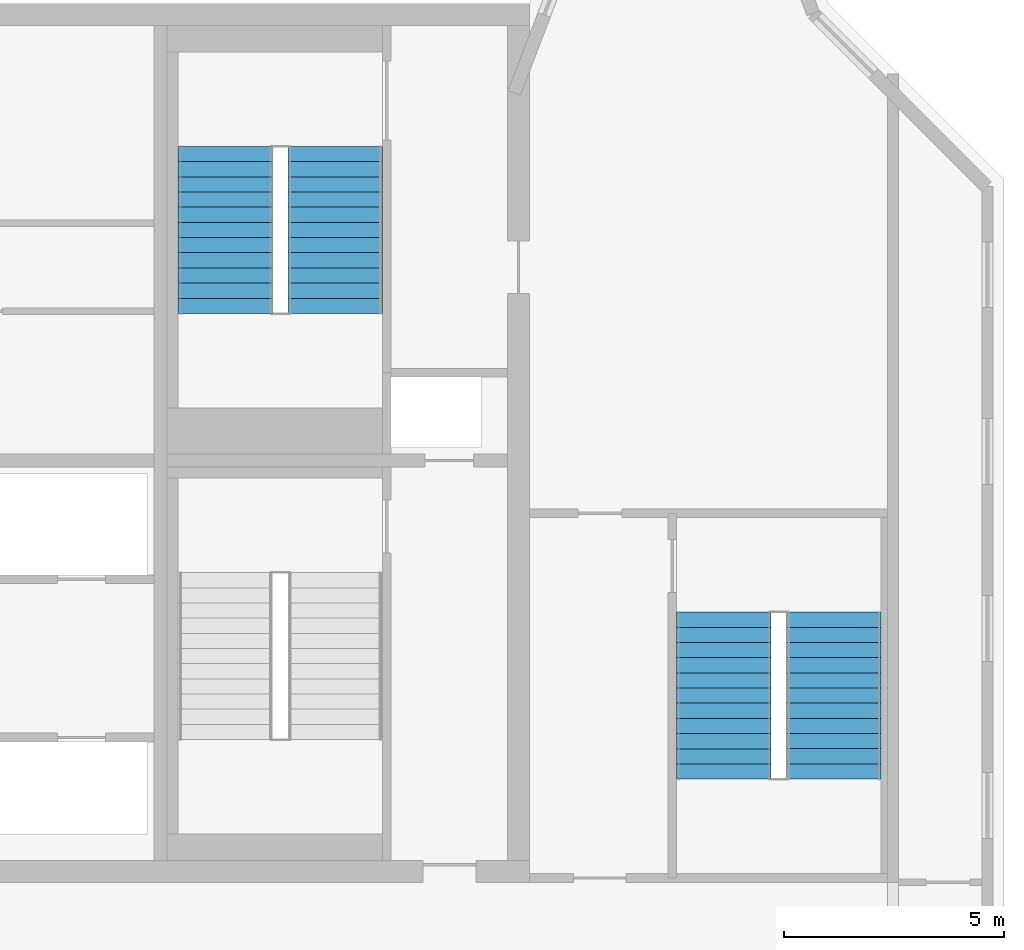
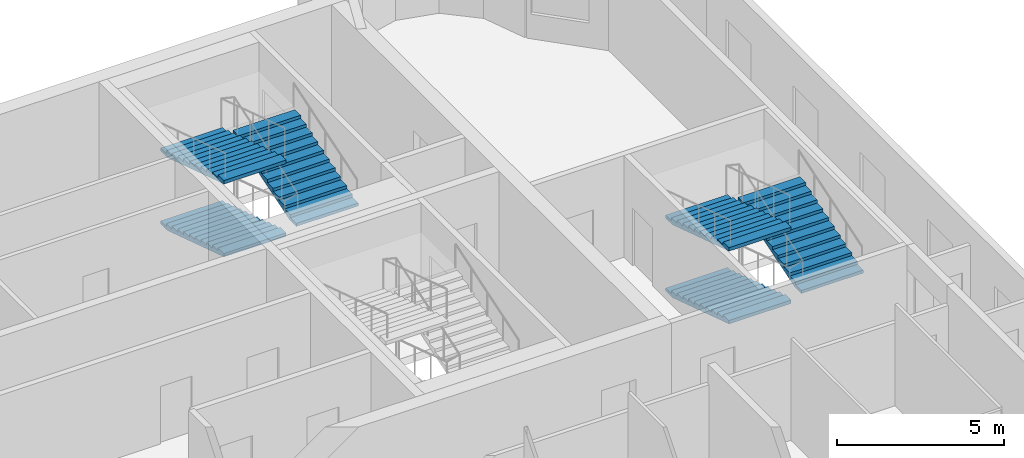
# One storey, part 9 of 12: 6 stair flights, 2 elements without a shape of their own.
"""IFC4 building model written with IfcOpenShell, lengths in metres."""

import ifcopenshell
import ifcopenshell.guid

model = None  # the IFC model being written
_history = None  # IfcOwnerHistory: only IFC2X3 demands one
_inside = {}  # id of a spatial element -> (the spatial element, [elements in it])
_under = {}  # id of a project, library or spatial element -> (it, [spatial elements below it])
_declared = {}  # id of a project -> (the project, [libraries it declares])
_typed = {}  # id of a type object -> (the type object, [elements of that type])
_made_of = {}  # id of a material, layer set ... -> (it, [elements and type objects made of it])


def new_model(schema):
    """Start an empty IFC model of exactly this schema.

    Asked for "IFC4X3", IfcOpenShell would pick the latest addendum, in which some entities
    have other attributes; the version numbers below select the first issue.
    IFC2X3 requires an IfcOwnerHistory on every rooted entity: one is made here for all.
    """
    global model, _history
    if schema == "IFC4X3":
        model = ifcopenshell.file(schema_version=(4, 3, 0, 0))
    else:
        model = ifcopenshell.file(schema=schema)
    _inside.clear()
    _under.clear()
    _declared.clear()
    _typed.clear()
    _made_of.clear()
    _history = None
    if model.schema == "IFC2X3":
        org = make("IfcOrganization", Name="unknown")
        user = make(
            "IfcPersonAndOrganization",
            ThePerson=make("IfcPerson", FamilyName="unknown"),
            TheOrganization=org,
        )
        app = make(
            "IfcApplication",
            ApplicationDeveloper=org,
            Version="unknown",
            ApplicationFullName="unknown",
            ApplicationIdentifier="unknown",
        )
        _history = make(
            "IfcOwnerHistory",
            OwningUser=user,
            OwningApplication=app,
            ChangeAction="ADDED",
            CreationDate=0,
        )
    return model


def make(cls, **values):
    """One entity of the class cls with the attributes given. An attribute that is None is left unset."""
    return model.create_entity(
        cls, **{name: value for name, value in values.items() if value is not None}
    )


def rooted(cls, **values):
    """An entity with a GlobalId (a new one), such as an element, a storey or a relation."""
    return make(cls, GlobalId=ifcopenshell.guid.new(), OwnerHistory=_history, **values)


def si_unit(unit_type, name, prefix=None):
    """IfcSIUnit, for example si_unit("LENGTHUNIT", "METRE", prefix="MILLI")."""
    return make("IfcSIUnit", UnitType=unit_type, Prefix=prefix, Name=name)


def assignment(units):
    """IfcUnitAssignment: the units of a project."""
    return None if units is None else make("IfcUnitAssignment", Units=units)


def point(xyz):
    """IfcCartesianPoint."""
    return None if xyz is None else make("IfcCartesianPoint", Coordinates=xyz)


def direction(xyz):
    """IfcDirection."""
    return None if xyz is None else make("IfcDirection", DirectionRatios=xyz)


def frame(location, z_axis=None, x_axis=None):
    """IfcAxis2Placement3D, a coordinate frame: its origin and axes. An axis left out is left unset."""
    return make(
        "IfcAxis2Placement3D",
        Location=point(location),
        Axis=direction(z_axis),
        RefDirection=direction(x_axis),
    )


def origin():
    """The frame at (0, 0, 0) with its axes left unset."""
    return frame((0.0, 0.0, 0.0))


def place(relative_to, where):
    """IfcLocalPlacement: puts the frame where relative to a parent placement (None: the world)."""
    return make(
        "IfcLocalPlacement", PlacementRelTo=relative_to, RelativePlacement=where
    )


def context(
    kind, dimensions, precision=None, world=None, true_north=None, identifier=None
):
    """IfcGeometricRepresentationContext, for example the 3D "Model" context."""
    return make(
        "IfcGeometricRepresentationContext",
        ContextIdentifier=identifier,
        ContextType=kind,
        CoordinateSpaceDimension=dimensions,
        Precision=precision,
        WorldCoordinateSystem=world,
        TrueNorth=true_north,
    )


def subcontext(parent, identifier, kind, view, scale=None):
    """IfcGeometricRepresentationSubContext, for example "Body" below "Model"."""
    return make(
        "IfcGeometricRepresentationSubContext",
        ContextIdentifier=identifier,
        ContextType=kind,
        ParentContext=parent,
        TargetScale=scale,
        TargetView=view,
    )


def project(units=None, contexts=None):
    """IfcProject with its units and contexts."""
    return rooted(
        "IfcProject",
        Name="project",
        RepresentationContexts=contexts,
        UnitsInContext=assignment(units),
    )


def spatial(cls, under=None, at=None, **own):
    """A site, building, storey or space (cls), placed at a placement, below another one or the project."""
    s = rooted(cls, ObjectPlacement=at, **own)
    if under is not None:
        _under.setdefault(under.id(), (under, []))[1].append(s)
    return s


def polyline(points):
    """IfcPolyline through the points."""
    return make("IfcPolyline", Points=[point(p) for p in points])


def outline(outer, holes=None, kind="AREA"):
    """IfcArbitraryClosedProfileDef: a profile drawn as a closed curve; with holes, ...WithVoids."""
    if holes is None:
        return make("IfcArbitraryClosedProfileDef", ProfileType=kind, OuterCurve=outer)
    return make(
        "IfcArbitraryProfileDefWithVoids",
        ProfileType=kind,
        OuterCurve=outer,
        InnerCurves=holes,
    )


def extrude(swept, where, along, depth):
    """IfcExtrudedAreaSolid: the profile swept, set in the frame where, extruded along a direction by depth."""
    return make(
        "IfcExtrudedAreaSolid",
        SweptArea=swept,
        Position=where,
        ExtrudedDirection=direction(along),
        Depth=depth,
    )


def shape(context_of_items, identifier, shape_type, items):
    """IfcShapeRepresentation: the items that make up one representation, for example the "Body"."""
    return make(
        "IfcShapeRepresentation",
        ContextOfItems=context_of_items,
        RepresentationIdentifier=identifier,
        RepresentationType=shape_type,
        Items=items,
    )


def source(mapping_origin, context_of_items, identifier, shape_type, items):
    """IfcRepresentationMap: a shape defined once, which mapped items show again and again."""
    return make(
        "IfcRepresentationMap",
        MappingOrigin=mapping_origin,
        MappedRepresentation=shape(context_of_items, identifier, shape_type, items),
    )


def transform(
    local_origin,
    x_axis=None,
    y_axis=None,
    z_axis=None,
    scale=None,
    scale2=None,
    scale3=None,
    uniform=True,
):
    """IfcCartesianTransformationOperator3D, or its non-uniform kind. x_axis, y_axis, z_axis: its Axis1, 2, 3."""
    if uniform:
        return make(
            "IfcCartesianTransformationOperator3D",
            Axis1=direction(x_axis),
            Axis2=direction(y_axis),
            LocalOrigin=point(local_origin),
            Scale=scale,
            Axis3=direction(z_axis),
        )
    return make(
        "IfcCartesianTransformationOperator3DnonUniform",
        Axis1=direction(x_axis),
        Axis2=direction(y_axis),
        LocalOrigin=point(local_origin),
        Scale=scale,
        Axis3=direction(z_axis),
        Scale2=scale2,
        Scale3=scale3,
    )


def mapped(mapping_source, mapping_target):
    """IfcMappedItem: shows the shape of a source again, moved by a transform."""
    return make(
        "IfcMappedItem", MappingSource=mapping_source, MappingTarget=mapping_target
    )


def material(Name=None, Category=None):
    """IfcMaterial."""
    return make("IfcMaterial", Name=Name, Category=Category)


def made_of(thing, what):
    """Note that an element or type object is made of a material, layer set ...; save() writes the relation."""
    if what is not None:
        _made_of.setdefault(what.id(), (what, []))[1].append(thing)
    return thing


def type_object(cls, material=None, **own):
    """A type object (cls), such as IfcWallType, which elements share."""
    return made_of(rooted(cls, **own), material)


def element(
    cls,
    number,
    at=None,
    inside=None,
    cuts=None,
    type_object=None,
    material=None,
    context=None,
    identifier="Body",
    shape_type=None,
    held_by="IfcProductDefinitionShape",
    body=None,
    shapes=None,
    **own,
):
    """One element of the class cls, such as IfcWall. Its Tag is "e" and its number.

    at: its placement. inside: the storey or other place that contains it. cuts: it is an
    opening in that element (IfcRelVoidsElement). A single representation is given by context,
    identifier, shape_type and body (its items); several are given by shapes. held_by: the class
    of the entity that holds the representations. save() writes the other relations.
    """
    e = rooted(cls, Tag="e%d" % number, ObjectPlacement=at, **own)
    if body is not None:
        shapes = [shape(context, identifier, shape_type, body)]
    if shapes is not None:
        e.Representation = make(held_by, Representations=shapes)
    if inside is not None:
        _inside.setdefault(inside.id(), (inside, []))[1].append(e)
    if cuts is not None:
        rooted(
            "IfcRelVoidsElement", RelatingBuildingElement=cuts, RelatedOpeningElement=e
        )
    if type_object is not None:
        _typed.setdefault(type_object.id(), (type_object, []))[1].append(e)
    return made_of(e, material)


def aggregate(whole, parts):
    """IfcRelAggregates: a whole, such as a stair, and the parts it consists of."""
    return rooted("IfcRelAggregates", RelatingObject=whole, RelatedObjects=parts)


def save(model, path):
    """Write the relations noted so far, then the file.

    IfcRelAggregates (storeys below a building ...), IfcRelContainedInSpatialStructure (elements
    in a storey), IfcRelDefinesByType, IfcRelAssociatesMaterial and IfcRelDeclares: one each for
    every whole, place, type object, material and project.
    """
    for whole, parts in _under.values():
        aggregate(whole, parts)
    for where, things in _inside.values():
        rooted(
            "IfcRelContainedInSpatialStructure",
            RelatedElements=things,
            RelatingStructure=where,
        )
    for kind, things in _typed.values():
        rooted("IfcRelDefinesByType", RelatedObjects=things, RelatingType=kind)
    for what, things in _made_of.values():
        rooted("IfcRelAssociatesMaterial", RelatedObjects=things, RelatingMaterial=what)
    for by, libraries in _declared.values():
        rooted("IfcRelDeclares", RelatingContext=by, RelatedDefinitions=libraries)
    model.write(path)


model = new_model("IFC4")

# Units and contexts
model_context = context("Model", 3, precision=1e-05, world=origin(), true_north=direction((0.0, 1.0)))
body_context = subcontext(model_context, "Body", "Model", "MODEL_VIEW")
ifc_project = project(units=[si_unit("LENGTHUNIT", "METRE"), si_unit("AREAUNIT", "SQUARE_METRE"), si_unit("VOLUMEUNIT", "CUBIC_METRE"), si_unit("PLANEANGLEUNIT", "RADIAN"), si_unit("MASSUNIT", "GRAM", prefix="KILO")], contexts=[model_context])

# Site, building, storey
site_placement = place(None, origin())
site = spatial("IfcSite", under=ifc_project, at=site_placement, CompositionType="ELEMENT")
building_placement = place(site_placement, origin())
building = spatial("IfcBuilding", under=site, at=building_placement, Name="Vanashikhar Sky Hotel", CompositionType="ELEMENT")
storey_placement = place(building_placement, frame((0.0, 0.0, 285.699951171875)))
storey = spatial("IfcBuildingStorey", under=building, at=storey_placement, Name="L68", CompositionType="ELEMENT", Elevation=285.699951171875)

# Stair, stair flights
ifc_material = material(Name="Concrete M40", Category="concrete")
stair_type = type_object("IfcStairType", Name="Exit stair 2150", PredefinedType="DOUBLE_RETURN_STAIR", material=ifc_material)
stair_1_placement = place(storey_placement, origin())
stair_1 = element("IfcStair", 1, at=stair_1_placement, inside=storey, type_object=stair_type, Name="L68 Exit stair 4", PredefinedType="DOUBLE_RETURN_STAIR")
stair_flight_type = type_object("IfcStairFlightType", Name="Stair flight 2150", PredefinedType="STRAIGHT", material=ifc_material)
shared_shape = source(origin(), body_context, "Body", "SweptSolid", [
    extrude(outline(polyline([(0.0, 0.0), (0.0, 0.111083984375), (0.345458984375, 0.111083984375), (0.345458984375, 0.22216796875), (0.69091796875, 0.22216796875), (0.69091796875, 0.333251953125), (1.036376953125, 0.333251953125), (1.036376953125, 0.4443359375), (1.3818359375, 0.4443359375), (1.3818359375, 0.5556640625), (1.727294921875, 0.5556640625), (1.727294921875, 0.666748046875), (2.07275390625, 0.666748046875), (2.07275390625, 0.77783203125), (2.418212890625, 0.77783203125), (2.418212890625, 0.888916015625), (2.763671875, 0.888916015625), (2.763671875, 1.0), (3.109130859375, 1.0), (3.109130859375, 1.111083984375), (3.45458984375, 1.111083984375), (3.45458984375, 1.22216796875), (3.800048828125, 1.22216796875), (3.800048828125, 1.333251953125), (3.800048828125, 1.095947265625), (0.392333984375, 0.0), (0.0, 0.0)])), frame((0.0, 1.074951171875, 0.0), z_axis=(0.0, -1.0, 0.0), x_axis=(1.0, 0.0, 0.0)), (0.0, 0.0, 1.0), 2.14990234375),
])
stair_flight_1_placement = place(storey_placement, frame((80.02490234375, 28.14990234375, 0.0), z_axis=(0.0, 0.0, 1.0), x_axis=(0.0, -1.0, 0.0)))
stair_flight_1 = element("IfcStairFlight", 2, at=stair_flight_1_placement, type_object=stair_flight_type, Name="ST-E flight 1", NumberOfRisers=12, NumberOfTreads=11, PredefinedType="STRAIGHT", RiserHeight=0.111111111, TreadLength=0.345454545, context=body_context, shape_type="MappedRepresentation", body=[
    mapped(shared_shape, transform((0.0, 0.0, 0.0), scale=1.0)),
])
stair_flight_2_placement = place(storey_placement, frame((82.52490234375, 24.35009765625, 1.33349609375), z_axis=(0.0, 0.0, 1.0), x_axis=(0.0, 1.0, 0.0)))
stair_flight_2 = element("IfcStairFlight", 3, at=stair_flight_2_placement, type_object=stair_flight_type, Name="ST-E flight 2", NumberOfRisers=12, NumberOfTreads=11, PredefinedType="STRAIGHT", RiserHeight=0.111111111, TreadLength=0.345454545, context=body_context, shape_type="MappedRepresentation", body=[
    mapped(shared_shape, transform((0.0, 0.0, 0.0), scale=1.0)),
])
stair_flight_3_placement = place(storey_placement, frame((80.02490234375, 28.14990234375, 2.666748046875), z_axis=(0.0, 0.0, 1.0), x_axis=(0.0, -1.0, 0.0)))
stair_flight_3 = element("IfcStairFlight", 4, at=stair_flight_3_placement, type_object=stair_flight_type, Name="ST-E flight 3", NumberOfRisers=12, NumberOfTreads=11, PredefinedType="STRAIGHT", RiserHeight=0.111111111, TreadLength=0.345454545, context=body_context, shape_type="MappedRepresentation", body=[
    mapped(shared_shape, transform((0.0, 0.0, 0.0), scale=1.0)),
])
aggregate(stair_1, [stair_flight_1, stair_flight_2, stair_flight_3])

stair_2_placement = place(storey_placement, origin())
stair_2 = element("IfcStair", 5, at=stair_2_placement, inside=storey, type_object=stair_type, Name="L68 Exit stair 6", PredefinedType="DOUBLE_RETURN_STAIR")
stair_flight_4_placement = place(storey_placement, frame((68.675048828125, 38.75, 0.0), z_axis=(0.0, 0.0, 1.0), x_axis=(0.0, -1.0, 0.0)))
stair_flight_4 = element("IfcStairFlight", 6, at=stair_flight_4_placement, type_object=stair_flight_type, Name="ST-C4 flight 1", NumberOfRisers=12, NumberOfTreads=11, PredefinedType="STRAIGHT", RiserHeight=0.111111111, TreadLength=0.345454545, context=body_context, shape_type="MappedRepresentation", body=[
    mapped(shared_shape, transform((0.0, 0.0, 0.0), scale=1.0)),
])
stair_flight_5_placement = place(storey_placement, frame((71.175048828125, 34.949951171875, 1.33349609375), z_axis=(0.0, 0.0, 1.0), x_axis=(0.0, 1.0, 0.0)))
stair_flight_5 = element("IfcStairFlight", 7, at=stair_flight_5_placement, type_object=stair_flight_type, Name="ST-C4 flight 2", NumberOfRisers=12, NumberOfTreads=11, PredefinedType="STRAIGHT", RiserHeight=0.111111111, TreadLength=0.345454545, context=body_context, shape_type="MappedRepresentation", body=[
    mapped(shared_shape, transform((0.0, 0.0, 0.0), scale=1.0)),
])
stair_flight_6_placement = place(storey_placement, frame((68.675048828125, 38.75, 2.666748046875), z_axis=(0.0, 0.0, 1.0), x_axis=(0.0, -1.0, 0.0)))
stair_flight_6 = element("IfcStairFlight", 8, at=stair_flight_6_placement, type_object=stair_flight_type, Name="ST-C4 flight 3", NumberOfRisers=12, NumberOfTreads=11, PredefinedType="STRAIGHT", RiserHeight=0.111111111, TreadLength=0.345454545, context=body_context, shape_type="MappedRepresentation", body=[
    mapped(shared_shape, transform((0.0, 0.0, 0.0), scale=1.0)),
])
aggregate(stair_2, [stair_flight_4, stair_flight_5, stair_flight_6])

save(model, "model.ifc")
